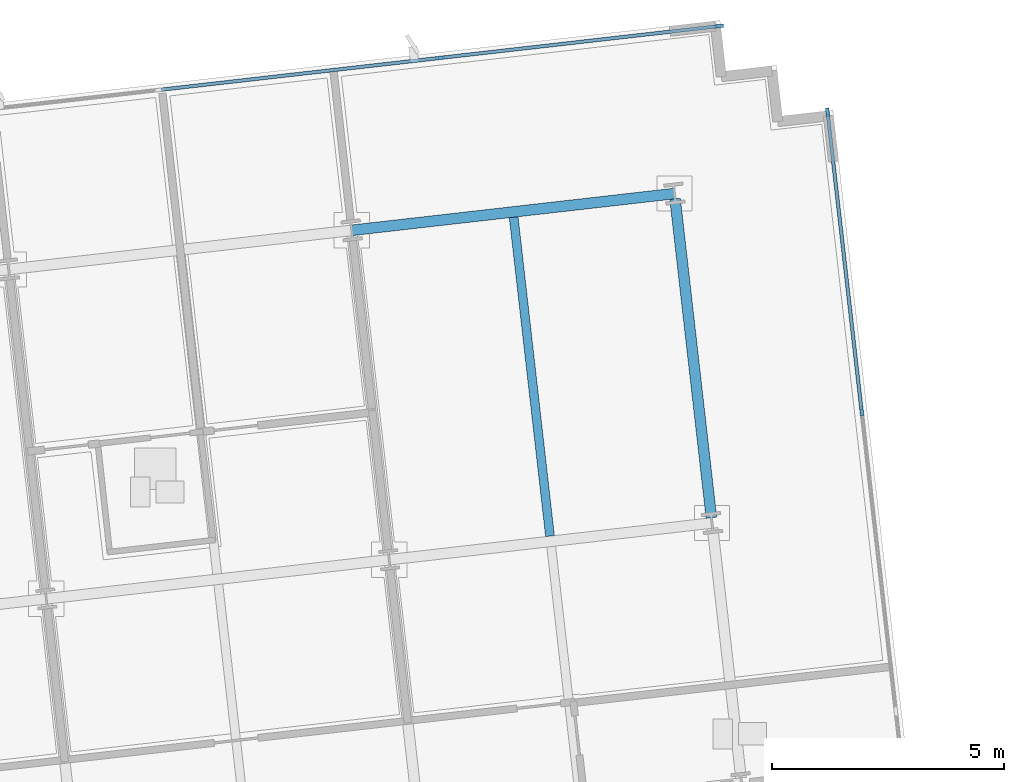
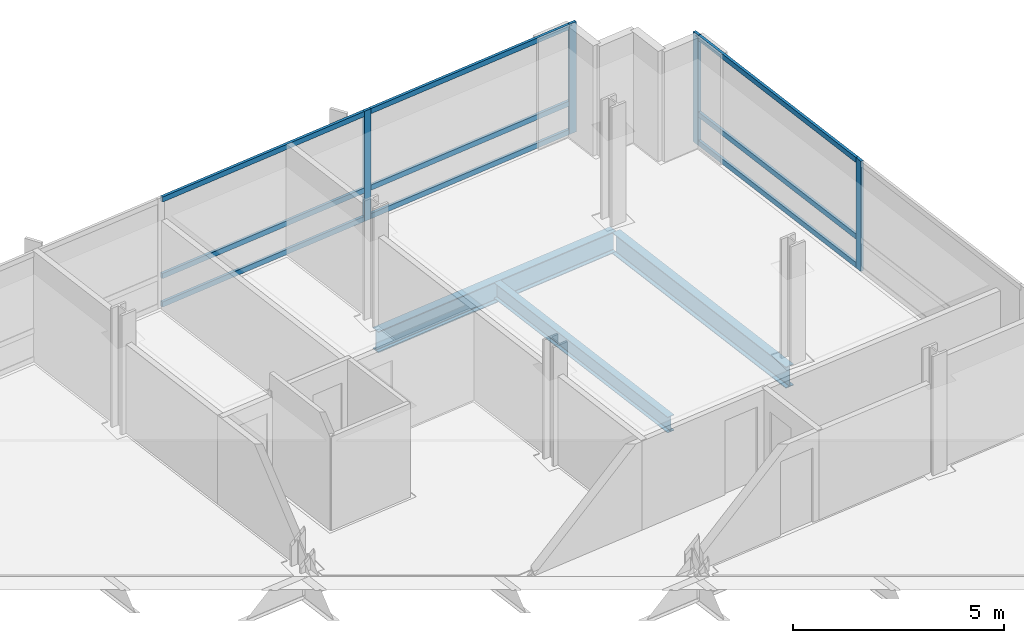
# One storey, part 6 of 15: 13 members, 3 beams, 2 elements without a shape of their own.
"""IFC4 building model written with IfcOpenShell, lengths in metres."""

from ifc_helpers import new_model, si_unit, direction, frame, origin, origin_2d, place, context, subcontext, project, spatial, rectangle, i_section, extrude, material, material_profile, profile_set, type_object, element, aggregate, save


model = new_model("IFC4")

# Units and contexts
model_context = context("Model", 3, precision=1e-05, world=origin(), true_north=direction((0.0, 1.0)))
body_context = subcontext(model_context, "Body", "Model", "MODEL_VIEW")
ifc_project = project(units=[si_unit("LENGTHUNIT", "METRE"), si_unit("AREAUNIT", "SQUARE_METRE"), si_unit("VOLUMEUNIT", "CUBIC_METRE"), si_unit("PLANEANGLEUNIT", "RADIAN"), si_unit("MASSUNIT", "GRAM", prefix="KILO")], contexts=[model_context])

# Site, building, storey
site_placement = place(None, origin())
site = spatial("IfcSite", under=ifc_project, at=site_placement, CompositionType="ELEMENT")
building_placement = place(site_placement, origin())
building = spatial("IfcBuilding", under=site, at=building_placement, Name="Solmavex Isthmus Hotel", CompositionType="ELEMENT")
storey_placement = place(building_placement, frame((0.0, 0.0, 229.64990234375)))
storey = spatial("IfcBuildingStorey", under=building, at=storey_placement, Name="L62", CompositionType="ELEMENT", Elevation=229.64990234375)

# Beams
ifc_material_1 = material(Name="Steel ASTM A992 Grade 50", Category="steel")
ifc_material_profile_1 = material_profile(ifc_material_1, i_section(OverallWidth=0.1904296875, OverallDepth=0.456787109375, WebThickness=0.009033203125, FlangeThickness=0.014404296875, FilletRadius=0.0126953125, at=origin_2d()), Name="W18X50")
ifc_profile_set_1 = profile_set([ifc_material_profile_1], Name="Steel ASTM A992 Grade 50")
beam_type_1 = type_object("IfcBeamType", Name="BM-BJ-W18X50", PredefinedType="JOIST", material=ifc_profile_set_1)
beam_1_placement = place(storey_placement, frame((21.587646484375, 11.7939453125, -0.48828125), z_axis=(-0.113202453846, 0.993571942258, 0.0), x_axis=(-0.993571942258, -0.113202453846, 0.0)))
element("IfcBeam", 1, at=beam_1_placement, inside=storey, type_object=beam_type_1, Name="Secondary Floor Joist L62-J21", PredefinedType="JOIST", context=body_context, shape_type="SweptSolid", body=[
    extrude(i_section(OverallWidth=0.1904296875, OverallDepth=0.456787109375, WebThickness=0.009033203125, FlangeThickness=0.014404296875, FilletRadius=0.0126953125, at=origin_2d()), origin(), (0.0, 0.0, 1.0), 6.9228515625),
])
ifc_material_profile_2 = material_profile(ifc_material_1, i_section(OverallWidth=0.230224609375, OverallDepth=0.617431640625, WebThickness=0.01318359375, FlangeThickness=0.022216796875, FilletRadius=0.01513671875, at=origin_2d()), Name="W24X94")
ifc_profile_set_2 = profile_set([ifc_material_profile_2], Name="Steel ASTM A992 Grade 50")
beam_type_2 = type_object("IfcBeamType", Name="BM-SP-W24X94", PredefinedType="SPANDREL", material=ifc_profile_set_2)
beam_2_placement = place(storey_placement, frame((17.3095703125, 18.39013671875, -0.568603515625), z_axis=(0.99357359356, 0.113187959519, 0.0), x_axis=(-0.113187959519, 0.99357359356, 0.0)))
element("IfcBeam", 2, at=beam_2_placement, inside=storey, type_object=beam_type_2, Name="Floor Girder L62-UG23", PredefinedType="SPANDREL", context=body_context, shape_type="SweptSolid", body=[
    extrude(i_section(OverallWidth=0.230224609375, OverallDepth=0.617431640625, WebThickness=0.01318359375, FlangeThickness=0.022216796875, FilletRadius=0.01513671875, at=origin_2d()), origin(), (0.0, 0.0, 1.0), 7.0078125),
])
beam_3_placement = place(storey_placement, frame((25.0693359375, 12.1904296875, -0.568603515625), z_axis=(-0.113202453846, 0.993571942258, 0.0), x_axis=(-0.993571942258, -0.113202453846, 0.0)))
element("IfcBeam", 3, at=beam_3_placement, inside=storey, type_object=beam_type_2, Name="Floor Beam L62-VG45", PredefinedType="SPANDREL", context=body_context, shape_type="SweptSolid", body=[
    extrude(i_section(OverallWidth=0.230224609375, OverallDepth=0.617431640625, WebThickness=0.01318359375, FlangeThickness=0.022216796875, FilletRadius=0.01513671875, at=origin_2d()), origin(), (0.0, 0.0, 1.0), 6.9228515625),
])

# Curtain wall, members
ifc_material_2 = material(Name="Aluminium alloy 6063-T6", Category="aluminium")
curtain_wall_type = type_object("IfcCurtainWallType", Name="CW-SYS-04", PredefinedType="NOTDEFINED", material=ifc_material_2)
curtain_wall_1_placement = place(storey_placement, origin())
curtain_wall_1 = element("IfcCurtainWall", 4, at=curtain_wall_1_placement, inside=storey, type_object=curtain_wall_type, Name="Stick Curtain Wall CWL-L62-N3", PredefinedType="NOTDEFINED")
ifc_material_profile_3 = material_profile(ifc_material_2, rectangle(XDim=0.074951171875, YDim=0.199951171875, at=origin_2d()), Name="CWM-75X200")
ifc_profile_set_3 = profile_set([ifc_material_profile_3], Name="Aluminium alloy 6063-T6")
member_type_1 = type_object("IfcMemberType", Name="CW-SYS-04-MUL", PredefinedType="MULLION", material=ifc_profile_set_3)
member_1_placement = place(storey_placement, frame((19.21630859375, 22.10986328125, 0.0), z_axis=(0.0, 0.0, 1.0), x_axis=(-0.113203493636, 0.99357182379, 0.0)))
member_1 = element("IfcMember", 5, at=member_1_placement, type_object=member_type_1, Name="CW-04 mullion 3", PredefinedType="MULLION", context=body_context, shape_type="SweptSolid", body=[
    extrude(rectangle(XDim=0.074951171875, YDim=0.199951171875, at=origin_2d()), origin(), (0.0, 0.0, 1.0), 3.190185546875),
])
member_2_placement = place(storey_placement, frame((25.232177734375, 22.795166015625, 0.0), z_axis=(0.0, 0.0, 1.0), x_axis=(-0.113203493636, 0.99357182379, 0.0)))
member_2 = element("IfcMember", 6, at=member_2_placement, type_object=member_type_1, Name="CW-04 mullion 4", PredefinedType="MULLION", context=body_context, shape_type="SweptSolid", body=[
    extrude(rectangle(XDim=0.074951171875, YDim=0.199951171875, at=origin_2d()), origin(), (0.0, 0.0, 1.0), 3.190185546875),
])

curtain_wall_2_placement = place(storey_placement, origin())
curtain_wall_2 = element("IfcCurtainWall", 7, at=curtain_wall_2_placement, inside=storey, type_object=curtain_wall_type, Name="Stick Curtain Wall CWL-L62-E1", PredefinedType="NOTDEFINED")
member_3_placement = place(storey_placement, frame((28.309814453125, 14.490234375, 0.0), z_axis=(0.0, 0.0, 1.0), x_axis=(-0.993571836648, -0.11320338078, 0.0)))
member_3 = element("IfcMember", 8, at=member_3_placement, type_object=member_type_1, Name="CW-04 mullion 5", PredefinedType="MULLION", context=body_context, shape_type="SweptSolid", body=[
    extrude(rectangle(XDim=0.074951171875, YDim=0.199951171875, at=origin_2d()), origin(), (0.0, 0.0, 1.0), 3.190185546875),
])
member_4_placement = place(storey_placement, frame((27.575927734375, 20.93115234375, 0.0), z_axis=(0.0, 0.0, 1.0), x_axis=(-0.993571836648, -0.11320338078, 0.0)))
member_4 = element("IfcMember", 9, at=member_4_placement, type_object=member_type_1, Name="CW-04 mullion 6", PredefinedType="MULLION", context=body_context, shape_type="SweptSolid", body=[
    extrude(rectangle(XDim=0.074951171875, YDim=0.199951171875, at=origin_2d()), origin(), (0.0, 0.0, 1.0), 3.190185546875),
])

# Member
ifc_material_profile_4 = material_profile(ifc_material_2, rectangle(XDim=0.074951171875, YDim=0.14990234375, at=origin_2d()), Name="CWT-75X150")
ifc_profile_set_4 = profile_set([ifc_material_profile_4], Name="Aluminium alloy 6063-T6")
member_type_2 = type_object("IfcMemberType", Name="CW-SYS-04-TRN", PredefinedType="USERDEFINED", material=ifc_profile_set_4)
member_5_placement = place(storey_placement, frame((13.200439453125, 21.42431640625, 0.0751953125), z_axis=(0.993572627374, 0.113196440458, 0.0), x_axis=(-0.113196440458, 0.993572627374, 0.0)))
member_5 = element("IfcMember", 10, at=member_5_placement, type_object=member_type_2, Name="CW-04 transom 2.1", ObjectType="TRANSOM", PredefinedType="USERDEFINED", context=body_context, shape_type="SweptSolid", body=[
    extrude(rectangle(XDim=0.074951171875, YDim=0.14990234375, at=origin_2d()), origin(), (0.0, 0.0, 1.0), 6.017333984375),
])

member_6_placement = place(storey_placement, frame((13.200439453125, 21.42431640625, 0.900146484375), z_axis=(0.993572627374, 0.113196440458, 0.0), x_axis=(-0.113196440458, 0.993572627374, 0.0)))
member_6 = element("IfcMember", 11, at=member_6_placement, type_object=member_type_2, Name="CW-04 transom 2.2", ObjectType="TRANSOM", PredefinedType="USERDEFINED", context=body_context, shape_type="SweptSolid", body=[
    extrude(rectangle(XDim=0.074951171875, YDim=0.14990234375, at=origin_2d()), origin(), (0.0, 0.0, 1.0), 6.017333984375),
])

member_7_placement = place(storey_placement, frame((13.200439453125, 21.42431640625, 3.114990234375), z_axis=(0.993572627374, 0.113196440458, 0.0), x_axis=(-0.113196440458, 0.993572627374, 0.0)))
member_7 = element("IfcMember", 12, at=member_7_placement, type_object=member_type_2, Name="CW-04 transom 2.3", ObjectType="TRANSOM", PredefinedType="USERDEFINED", context=body_context, shape_type="SweptSolid", body=[
    extrude(rectangle(XDim=0.074951171875, YDim=0.14990234375, at=origin_2d()), origin(), (0.0, 0.0, 1.0), 6.017333984375),
])

member_8_placement = place(storey_placement, frame((19.253662109375, 22.114013671875, 0.0751953125), z_axis=(0.993570647741, 0.113213815179, 0.0), x_axis=(-0.113213815179, 0.993570647741, 0.0)))
member_8 = element("IfcMember", 13, at=member_8_placement, type_object=member_type_2, Name="CW-04 transom 3.1", ObjectType="TRANSOM", PredefinedType="USERDEFINED", context=body_context, shape_type="SweptSolid", body=[
    extrude(rectangle(XDim=0.074951171875, YDim=0.14990234375, at=origin_2d()), origin(), (0.0, 0.0, 1.0), 5.979736328125),
])

member_9_placement = place(storey_placement, frame((19.253662109375, 22.114013671875, 0.900146484375), z_axis=(0.993570647741, 0.113213815179, 0.0), x_axis=(-0.113213815179, 0.993570647741, 0.0)))
member_9 = element("IfcMember", 14, at=member_9_placement, type_object=member_type_2, Name="CW-04 transom 3.2", ObjectType="TRANSOM", PredefinedType="USERDEFINED", context=body_context, shape_type="SweptSolid", body=[
    extrude(rectangle(XDim=0.074951171875, YDim=0.14990234375, at=origin_2d()), origin(), (0.0, 0.0, 1.0), 5.979736328125),
])

member_10_placement = place(storey_placement, frame((19.253662109375, 22.114013671875, 3.114990234375), z_axis=(0.993570647741, 0.113213815179, 0.0), x_axis=(-0.113213815179, 0.993570647741, 0.0)))
member_10 = element("IfcMember", 15, at=member_10_placement, type_object=member_type_2, Name="CW-04 transom 3.3", ObjectType="TRANSOM", PredefinedType="USERDEFINED", context=body_context, shape_type="SweptSolid", body=[
    extrude(rectangle(XDim=0.074951171875, YDim=0.14990234375, at=origin_2d()), origin(), (0.0, 0.0, 1.0), 5.979736328125),
])

aggregate(curtain_wall_1, [member_1, member_2, member_5, member_6, member_7, member_8, member_9, member_10])

member_11_placement = place(storey_placement, frame((28.305419921875, 14.527587890625, 0.0751953125), z_axis=(-0.113203780919, 0.993571791058, 0.0), x_axis=(-0.993571791058, -0.113203780919, 0.0)))
member_11 = element("IfcMember", 16, at=member_11_placement, type_object=member_type_2, Name="CW-04 transom 5.1", ObjectType="TRANSOM", PredefinedType="USERDEFINED", context=body_context, shape_type="SweptSolid", body=[
    extrude(rectangle(XDim=0.074951171875, YDim=0.14990234375, at=origin_2d()), origin(), (0.0, 0.0, 1.0), 6.407470703125),
])

member_12_placement = place(storey_placement, frame((28.305419921875, 14.527587890625, 0.900146484375), z_axis=(-0.113203780919, 0.993571791058, 0.0), x_axis=(-0.993571791058, -0.113203780919, 0.0)))
member_12 = element("IfcMember", 17, at=member_12_placement, type_object=member_type_2, Name="CW-04 transom 5.2", ObjectType="TRANSOM", PredefinedType="USERDEFINED", context=body_context, shape_type="SweptSolid", body=[
    extrude(rectangle(XDim=0.074951171875, YDim=0.14990234375, at=origin_2d()), origin(), (0.0, 0.0, 1.0), 6.407470703125),
])

member_13_placement = place(storey_placement, frame((28.305419921875, 14.527587890625, 3.114990234375), z_axis=(-0.113203780919, 0.993571791058, 0.0), x_axis=(-0.993571791058, -0.113203780919, 0.0)))
member_13 = element("IfcMember", 18, at=member_13_placement, type_object=member_type_2, Name="CW-04 transom 5.3", ObjectType="TRANSOM", PredefinedType="USERDEFINED", context=body_context, shape_type="SweptSolid", body=[
    extrude(rectangle(XDim=0.074951171875, YDim=0.14990234375, at=origin_2d()), origin(), (0.0, 0.0, 1.0), 6.407470703125),
])

aggregate(curtain_wall_2, [member_3, member_4, member_11, member_12, member_13])

save(model, "model.ifc")
